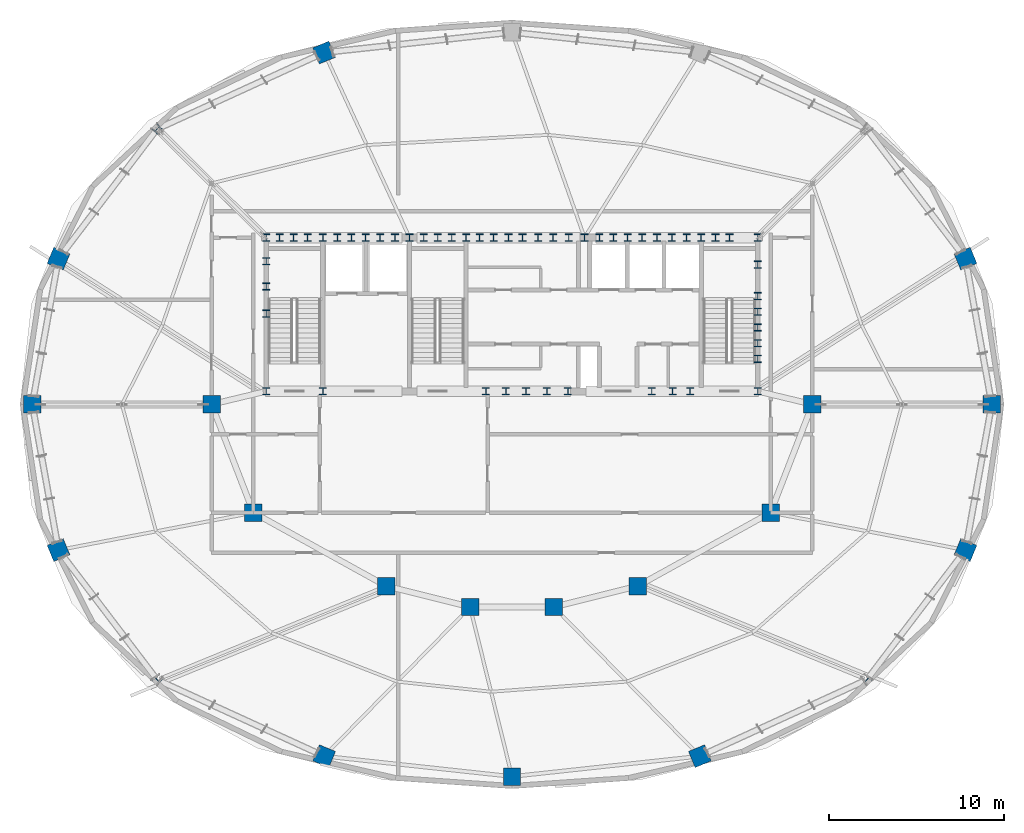
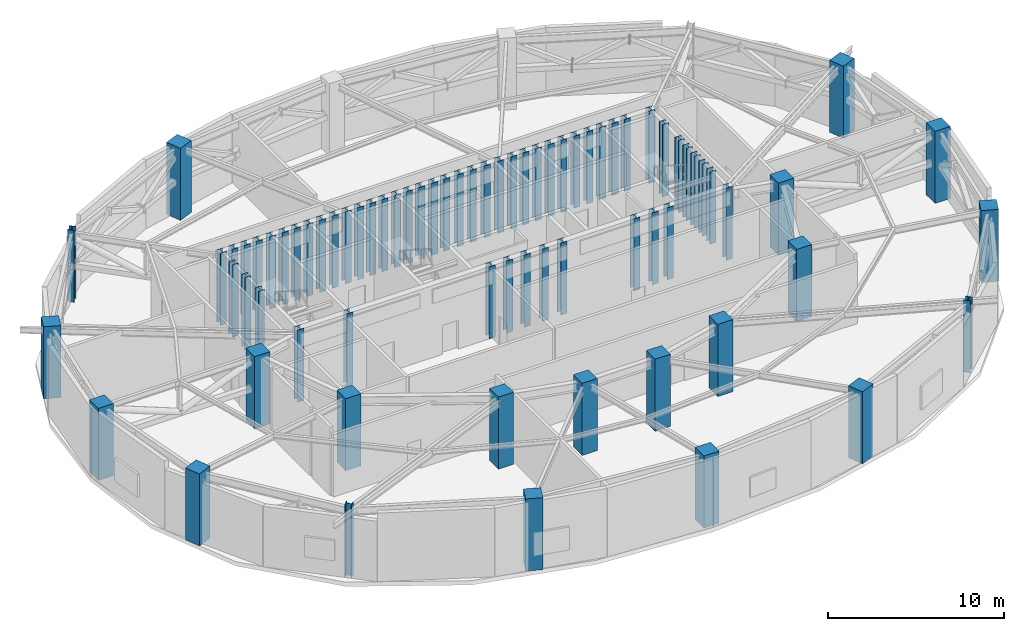
# One storey, part 1 of 20: 75 columns.
"""IFC4 building model written with IfcOpenShell, lengths in metres."""

from ifc_helpers import new_model, si_unit, direction, frame, origin, origin_2d, place, context, subcontext, project, spatial, rectangle, i_section, extrude, material, material_profile, profile_set, type_object, element, save


model = new_model("IFC4")

# Units and contexts
model_context = context("Model", 3, precision=1e-05, world=origin(), true_north=direction((0.0, 1.0)))
body_context = subcontext(model_context, "Body", "Model", "MODEL_VIEW")
ifc_project = project(units=[si_unit("LENGTHUNIT", "METRE"), si_unit("AREAUNIT", "SQUARE_METRE"), si_unit("VOLUMEUNIT", "CUBIC_METRE"), si_unit("PLANEANGLEUNIT", "RADIAN"), si_unit("MASSUNIT", "GRAM", prefix="KILO")], contexts=[model_context])

# Site, building, storey
site_placement = place(None, origin())
site = spatial("IfcSite", under=ifc_project, at=site_placement, CompositionType="ELEMENT")
building_placement = place(site_placement, origin())
building = spatial("IfcBuilding", under=site, at=building_placement, Name="Haldorwick Loom Tower", CompositionType="ELEMENT")
storey_placement = place(building_placement, frame((0.0, 0.0, 222.10009765625)))
storey = spatial("IfcBuildingStorey", under=building, at=storey_placement, Name="L60", CompositionType="ELEMENT", Elevation=222.10009765625)

# Columns
ifc_material_1 = material(Name="Concrete C60 (60 MPa)", Category="concrete")
ifc_material_profile_1 = material_profile(ifc_material_1, rectangle(XDim=1.0, YDim=1.0, at=origin_2d()), Name="RC1000X1000", Category="concrete")
ifc_profile_set_1 = profile_set([ifc_material_profile_1], Name="Concrete C60 (60 MPa)")
column_type_1 = type_object("IfcColumnType", Name="STR-COL-RC1000", PredefinedType="COLUMN", material=ifc_profile_set_1)
for number, where, z_axis, x_axis, name in (
    (1, (53.199951171875, 26.0, 0.0), (0.0, 0.0, 1.0), (1.0, 0.0, 0.0), "L60 Inner Column IC-01"),
    (2, (50.800048828125, 19.800048828125, 0.0), (0.0, 0.0, 1.0), (1.0, 0.0, 0.0), "L60 Inner Column IC-02"),
    (3, (43.199951171875, 15.60009765625, 0.0), (0.0, 0.0, 1.0), (1.0, 0.0, 0.0), "L60 Inner Column IC-03"),
    (4, (38.39990234375, 14.39990234375, 0.0), (0.0, 0.0, 1.0), (1.0, 0.0, 0.0), "L60 Inner Column IC-04"),
    (5, (33.60009765625, 14.39990234375, 0.0), (0.0, 0.0, 1.0), (1.0, 0.0, 0.0), "L60 Inner Column IC-05"),
    (6, (28.800048828125, 15.60009765625, 0.0), (0.0, 0.0, 1.0), (1.0, 0.0, 0.0), "L60 Inner Column IC-06"),
    (7, (21.199951171875, 19.800048828125, 0.0), (0.0, 0.0, 1.0), (1.0, 0.0, 0.0), "L60 Inner Column IC-07"),
    (8, (18.800048828125, 26.0, 0.0), (0.0, 0.0, 1.0), (1.0, 0.0, 0.0), "L60 Inner Column IC-08"),
    (9, (63.46630859375, 26.0, 0.0), (0.0, 0.0, 1.0), (1.0, 0.0, 0.0), "L60 Perimeter Pier Column P01"),
    (10, (61.9609375, 34.342529296875, 0.0), (0.0, 0.0, 1.0), (0.923879532511, 0.382683432365, 0.0), "L60 Perimeter Pier Column P02"),
    (11, (25.24658203125, 46.140625, 0.0), (0.0, 0.0, 1.0), (-0.382683432365, 0.923879532511, 0.0), "L60 Perimeter Pier Column P06"),
    (12, (10.0390625, 34.342529296875, 0.0), (0.0, 0.0, 1.0), (-0.923879532511, 0.382683432365, 0.0), "L60 Perimeter Pier Column P08"),
    (13, (8.53369140625, 26.0, 0.0), (0.0, 0.0, 1.0), (-1.0, 0.0, 0.0), "L60 Perimeter Pier Column P09"),
    (14, (10.0390625, 17.657470703125, 0.0), (0.0, 0.0, 1.0), (-0.923879532511, -0.382683432365, 0.0), "L60 Perimeter Pier Column P10"),
    (15, (25.24658203125, 5.859375, 0.0), (0.0, 0.0, 1.0), (-0.382683432365, -0.923879532511, 0.0), "L60 Perimeter Pier Column P12"),
    (16, (36.0, 4.695068359375, 0.0), (0.0, 0.0, 1.0), (0.0, -1.0, 0.0), "L60 Perimeter Pier Column P13"),
    (17, (46.75341796875, 5.859375, 0.0), (0.0, 0.0, 1.0), (0.382683432365, -0.923879532511, 0.0), "L60 Perimeter Pier Column P14"),
    (18, (61.9609375, 17.657470703125, 0.0), (0.0, 0.0, 1.0), (0.923879532511, -0.382683432365, 0.0), "L60 Perimeter Pier Column P16"),
):
    element("IfcColumn", number, at=place(storey_placement, frame(where, z_axis=z_axis, x_axis=x_axis)), inside=storey, type_object=column_type_1, Name=name, PredefinedType="COLUMN", context=body_context, shape_type="SweptSolid", body=[
        extrude(rectangle(XDim=1.0, YDim=1.0, at=origin_2d()), origin(), (0.0, 0.0, 1.0), 5.0),
    ])
ifc_material_2 = material(Name="Steel CSA G40.21 350W", Category="steel")
ifc_material_profile_2 = material_profile(ifc_material_2, i_section(OverallWidth=0.406005859375, OverallDepth=0.416015625, WebThickness=0.024169921875, FlangeThickness=0.03857421875, at=origin_2d()), Name="W360X382", Category="steel")
ifc_profile_set_2 = profile_set([ifc_material_profile_2], Name="Steel CSA G40.21 350W")
column_type_2 = type_object("IfcColumnType", Name="STR-COL-W360X382", PredefinedType="COLUMN", material=ifc_profile_set_2)
for number, where, z_axis, x_axis, name in (
    (19, (21.929931640625, 35.550048828125, 0.0), (0.0, 0.0, 1.0), (1.0, 0.0, 0.0), "L60 Core Pilaster CB-01"),
    (20, (23.5, 35.550048828125, 0.0), (0.0, 0.0, 1.0), (1.0, 0.0, 0.0), "L60 Core Pilaster CB-02"),
    (21, (25.169921875, 35.550048828125, 0.0), (0.0, 0.0, 1.0), (1.0, 0.0, 0.0), "L60 Core Pilaster CB-03"),
    (22, (26.800048828125, 35.550048828125, 0.0), (0.0, 0.0, 1.0), (1.0, 0.0, 0.0), "L60 Core Pilaster CB-04"),
    (23, (28.449951171875, 35.550048828125, 0.0), (0.0, 0.0, 1.0), (1.0, 0.0, 0.0), "L60 Core Pilaster CB-05"),
    (24, (30.1298828125, 35.550048828125, 0.0), (0.0, 0.0, 1.0), (1.0, 0.0, 0.0), "L60 Core Pilaster CB-06"),
    (25, (31.75, 35.550048828125, 0.0), (0.0, 0.0, 1.0), (1.0, 0.0, 0.0), "L60 Core Pilaster CB-07"),
    (26, (33.3701171875, 35.550048828125, 0.0), (0.0, 0.0, 1.0), (1.0, 0.0, 0.0), "L60 Core Pilaster CB-08"),
    (27, (34.949951171875, 35.550048828125, 0.0), (0.0, 0.0, 1.0), (1.0, 0.0, 0.0), "L60 Core Pilaster CB-09"),
    (28, (36.60009765625, 35.550048828125, 0.0), (0.0, 0.0, 1.0), (1.0, 0.0, 0.0), "L60 Core Pilaster CB-10"),
    (29, (38.35009765625, 35.550048828125, 0.0), (0.0, 0.0, 1.0), (1.0, 0.0, 0.0), "L60 Core Pilaster CB-11"),
    (30, (40.14990234375, 35.550048828125, 0.0), (0.0, 0.0, 1.0), (1.0, 0.0, 0.0), "L60 Core Pilaster CB-12"),
    (31, (41.800048828125, 35.550048828125, 0.0), (0.0, 0.0, 1.0), (1.0, 0.0, 0.0), "L60 Core Pilaster CB-13"),
    (32, (43.449951171875, 35.550048828125, 0.0), (0.0, 0.0, 1.0), (1.0, 0.0, 0.0), "L60 Core Pilaster CB-14"),
    (33, (45.14990234375, 35.550048828125, 0.0), (0.0, 0.0, 1.0), (1.0, 0.0, 0.0), "L60 Core Pilaster CB-15"),
    (34, (46.830078125, 35.550048828125, 0.0), (0.0, 0.0, 1.0), (1.0, 0.0, 0.0), "L60 Core Pilaster CB-16"),
    (35, (48.449951171875, 35.550048828125, 0.0), (0.0, 0.0, 1.0), (1.0, 0.0, 0.0), "L60 Core Pilaster CB-17"),
    (36, (50.070068359375, 35.550048828125, 0.0), (0.0, 0.0, 1.0), (1.0, 0.0, 0.0), "L60 Core Pilaster CB-18"),
    (37, (21.929931640625, 26.75, 0.0), (0.0, 0.0, 1.0), (1.0, 0.0, 0.0), "L60 Core Pilaster CB-19"),
    (38, (25.169921875, 26.75, 0.0), (0.0, 0.0, 1.0), (1.0, 0.0, 0.0), "L60 Core Pilaster CB-20"),
    (39, (34.5, 26.75, 0.0), (0.0, 0.0, 1.0), (1.0, 0.0, 0.0), "L60 Core Pilaster CB-21"),
    (40, (36.800048828125, 26.75, 0.0), (0.0, 0.0, 1.0), (1.0, 0.0, 0.0), "L60 Core Pilaster CB-22"),
    (41, (39.199951171875, 26.75, 0.0), (0.0, 0.0, 1.0), (1.0, 0.0, 0.0), "L60 Core Pilaster CB-23"),
    (42, (45.199951171875, 26.75, 0.0), (0.0, 0.0, 1.0), (1.0, 0.0, 0.0), "L60 Core Pilaster CB-24"),
    (43, (50.070068359375, 26.75, 0.0), (0.0, 0.0, 1.0), (1.0, 0.0, 0.0), "L60 Core Pilaster CB-25"),
    (44, (21.929931640625, 31.199951171875, 0.0), (0.0, 0.0, 1.0), (1.0, 0.0, 0.0), "L60 Core Pilaster CB-26"),
    (45, (21.929931640625, 32.75, 0.0), (0.0, 0.0, 1.0), (1.0, 0.0, 0.0), "L60 Core Pilaster CB-27"),
    (46, (21.929931640625, 34.199951171875, 0.0), (0.0, 0.0, 1.0), (1.0, 0.0, 0.0), "L60 Core Pilaster CB-28"),
    (47, (50.070068359375, 28.60009765625, 0.0), (0.0, 0.0, 1.0), (1.0, 0.0, 0.0), "L60 Core Pilaster CB-29"),
    (48, (50.070068359375, 30.39990234375, 0.0), (0.0, 0.0, 1.0), (1.0, 0.0, 0.0), "L60 Core Pilaster CB-30"),
    (49, (50.070068359375, 32.199951171875, 0.0), (0.0, 0.0, 1.0), (1.0, 0.0, 0.0), "L60 Core Pilaster CB-31"),
    (50, (50.070068359375, 34.0, 0.0), (0.0, 0.0, 1.0), (1.0, 0.0, 0.0), "L60 Core Pilaster CB-32"),
    (51, (22.699951171875, 35.550048828125, 0.0), (0.0, 0.0, 1.0), (1.0, 0.0, 0.0), "L60 Core Pilaster CB-33"),
    (52, (27.6201171875, 35.550048828125, 0.0), (0.0, 0.0, 1.0), (1.0, 0.0, 0.0), "L60 Core Pilaster CB-34"),
    (53, (32.550048828125, 35.550048828125, 0.0), (0.0, 0.0, 1.0), (1.0, 0.0, 0.0), "L60 Core Pilaster CB-35"),
    (54, (37.5, 35.550048828125, 0.0), (0.0, 0.0, 1.0), (1.0, 0.0, 0.0), "L60 Core Pilaster CB-36"),
    (55, (42.6201171875, 35.550048828125, 0.0), (0.0, 0.0, 1.0), (1.0, 0.0, 0.0), "L60 Core Pilaster CB-37"),
    (56, (47.64990234375, 35.550048828125, 0.0), (0.0, 0.0, 1.0), (1.0, 0.0, 0.0), "L60 Core Pilaster CB-38"),
    (57, (24.300048828125, 35.550048828125, 0.0), (0.0, 0.0, 1.0), (1.0, 0.0, 0.0), "L60 Core Pilaster CB-39"),
    (58, (26.0, 35.550048828125, 0.0), (0.0, 0.0, 1.0), (1.0, 0.0, 0.0), "L60 Core Pilaster CB-40"),
    (59, (29.300048828125, 35.550048828125, 0.0), (0.0, 0.0, 1.0), (1.0, 0.0, 0.0), "L60 Core Pilaster CB-41"),
    (60, (30.949951171875, 35.550048828125, 0.0), (0.0, 0.0, 1.0), (1.0, 0.0, 0.0), "L60 Core Pilaster CB-42"),
    (61, (34.14990234375, 35.550048828125, 0.0), (0.0, 0.0, 1.0), (1.0, 0.0, 0.0), "L60 Core Pilaster CB-43"),
    (62, (35.800048828125, 35.550048828125, 0.0), (0.0, 0.0, 1.0), (1.0, 0.0, 0.0), "L60 Core Pilaster CB-44"),
    (63, (39.25, 35.550048828125, 0.0), (0.0, 0.0, 1.0), (1.0, 0.0, 0.0), "L60 Core Pilaster CB-45"),
    (64, (41.0, 35.550048828125, 0.0), (0.0, 0.0, 1.0), (1.0, 0.0, 0.0), "L60 Core Pilaster CB-46"),
    (65, (44.300048828125, 35.550048828125, 0.0), (0.0, 0.0, 1.0), (1.0, 0.0, 0.0), "L60 Core Pilaster CB-47"),
    (66, (46.0, 35.550048828125, 0.0), (0.0, 0.0, 1.0), (1.0, 0.0, 0.0), "L60 Core Pilaster CB-48"),
    (67, (50.070068359375, 29.5, 0.0), (0.0, 0.0, 1.0), (1.0, 0.0, 0.0), "L60 Core Pilaster CB-49"),
    (68, (50.070068359375, 31.300048828125, 0.0), (0.0, 0.0, 1.0), (1.0, 0.0, 0.0), "L60 Core Pilaster CB-50"),
    (69, (35.64990234375, 26.75, 0.0), (0.0, 0.0, 1.0), (1.0, 0.0, 0.0), "L60 Core Pilaster CB-51"),
    (70, (38.0, 26.75, 0.0), (0.0, 0.0, 1.0), (1.0, 0.0, 0.0), "L60 Core Pilaster CB-52"),
    (71, (44.0, 26.75, 0.0), (0.0, 0.0, 1.0), (1.0, 0.0, 0.0), "L60 Core Pilaster CB-53"),
    (72, (46.199951171875, 26.75, 0.0), (0.0, 0.0, 1.0), (1.0, 0.0, 0.0), "L60 Core Pilaster CB-54"),
    (73, (15.682373046875, 41.764892578125, 0.0), (0.0, 0.0, 1.0), (-0.707106781187, 0.707106781187, 0.0), "L60 Perimeter Pier Column P07"),
    (74, (15.682373046875, 10.235107421875, 0.0), (0.0, 0.0, 1.0), (-0.707106781187, -0.707106781187, 0.0), "L60 Perimeter Pier Column P11"),
    (75, (56.317626953125, 10.235107421875, 0.0), (0.0, 0.0, 1.0), (0.707106781187, -0.707106781187, 0.0), "L60 Perimeter Pier Column P15"),
):
    element("IfcColumn", number, at=place(storey_placement, frame(where, z_axis=z_axis, x_axis=x_axis)), inside=storey, type_object=column_type_2, Name=name, PredefinedType="COLUMN", context=body_context, shape_type="SweptSolid", body=[
        extrude(i_section(OverallWidth=0.406005859375, OverallDepth=0.416015625, WebThickness=0.024169921875, FlangeThickness=0.03857421875, at=origin_2d()), origin(), (0.0, 0.0, 1.0), 5.0),
    ])

save(model, "model.ifc")
